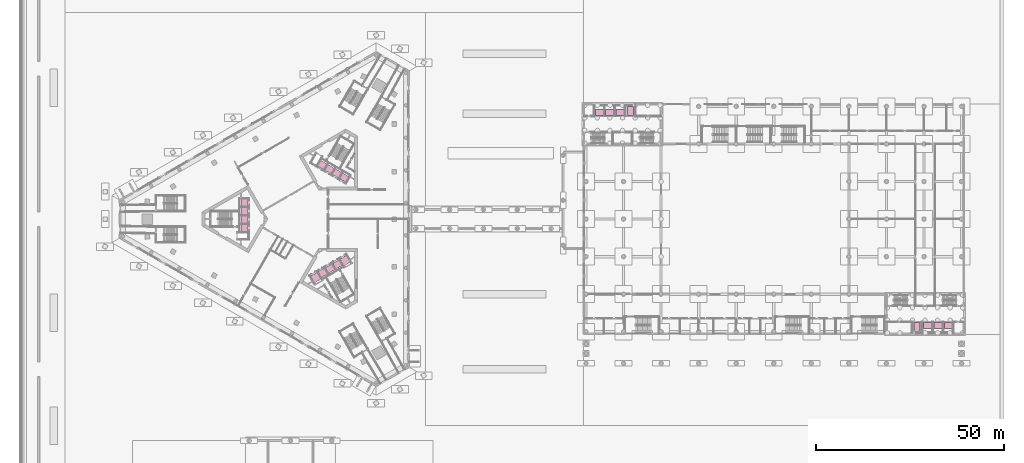
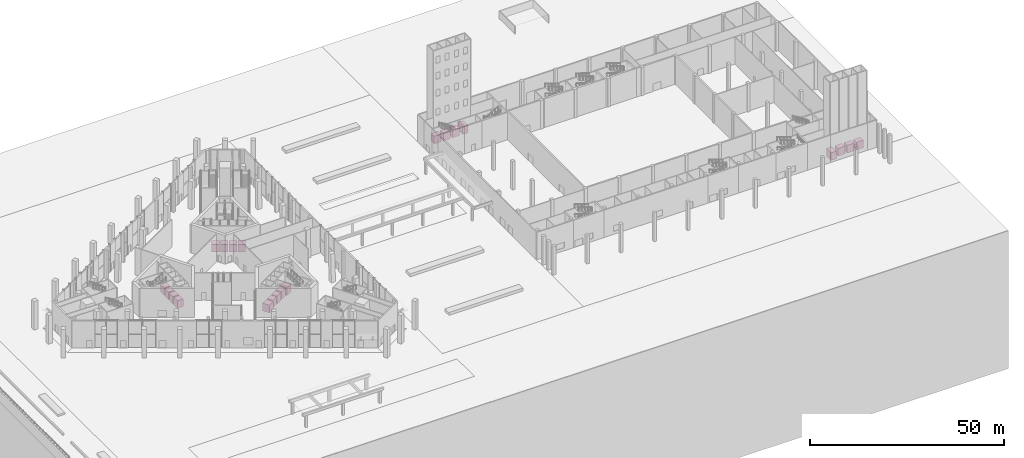
# One storey, part 63 of 63: 21 transport elements.
"""IFC4 building model written with IfcOpenShell, lengths in metres."""

from ifc_helpers import new_model, si_unit, direction, frame, origin, origin_2d, place, context, subcontext, project, spatial, rectangle, extrude, material, type_object, element, save


model = new_model("IFC4")

# Units and contexts
model_context = context("Model", 3, precision=1e-05, world=origin(), true_north=direction((0.0, 1.0)))
body_context = subcontext(model_context, "Body", "Model", "MODEL_VIEW")
ifc_project = project(units=[si_unit("LENGTHUNIT", "METRE"), si_unit("AREAUNIT", "SQUARE_METRE"), si_unit("VOLUMEUNIT", "CUBIC_METRE"), si_unit("PLANEANGLEUNIT", "RADIAN"), si_unit("MASSUNIT", "GRAM", prefix="KILO")], contexts=[model_context])

# Site, building, storey
site_placement = place(None, origin())
site = spatial("IfcSite", under=ifc_project, at=site_placement, CompositionType="ELEMENT")
building_placement = place(site_placement, origin())
building = spatial("IfcBuilding", under=site, at=building_placement, Name="Jabali Bay Hotel Tower and Convention Centre", CompositionType="ELEMENT")
storey_placement = place(building_placement, origin())
storey = spatial("IfcBuildingStorey", under=building, at=storey_placement, Name="L00", CompositionType="ELEMENT", Elevation=0.0)

# Transport elements
ifc_material_1 = material(Name="Stainless steel 304", Category="steel")
transport_element_type_1 = type_object("IfcTransportElementType", Name="CC Passenger Lift 1350 kg", PredefinedType="ELEVATOR", material=ifc_material_1)
for number, where, z_axis, x_axis, name in (
    (1, (154.25, 108.39990234375, 0.0), (0.0, 0.0, 1.0), (1.0, 0.0, 0.0), "CC west passenger lift 1"),
    (2, (157.0, 108.39990234375, 0.0), (0.0, 0.0, 1.0), (1.0, 0.0, 0.0), "CC west passenger lift 2"),
    (3, (159.75, 108.39990234375, 0.0), (0.0, 0.0, 1.0), (1.0, 0.0, 0.0), "CC west passenger lift 3"),
    (4, (247.14990234375, 51.60009765625, 0.0), (0.0, 0.0, 1.0), (1.0, 0.0, 0.0), "CC east passenger lift 1"),
    (5, (244.39990234375, 51.60009765625, 0.0), (0.0, 0.0, 1.0), (1.0, 0.0, 0.0), "CC east passenger lift 2"),
    (6, (241.64990234375, 51.60009765625, 0.0), (0.0, 0.0, 1.0), (1.0, 0.0, 0.0), "CC east passenger lift 3"),
):
    element("IfcTransportElement", number, at=place(storey_placement, frame(where, z_axis=z_axis, x_axis=x_axis)), inside=storey, type_object=transport_element_type_1, Name=name, PredefinedType="ELEVATOR", context=body_context, shape_type="SweptSolid", body=[
        extrude(rectangle(XDim=2.10009765625, YDim=1.60009765625, at=origin_2d()), origin(), (0.0, 0.0, 1.0), 2.39990234375),
    ])
transport_element_type_2 = type_object("IfcTransportElementType", Name="CC Service Lift 1600 kg", PredefinedType="ELEVATOR", material=ifc_material_1)
for number, where, z_axis, x_axis, name in (
    (7, (162.5, 108.800048828125, 0.0), (0.0, 0.0, 1.0), (1.0, 0.0, 0.0), "CC west service lift"),
    (8, (238.89990234375, 51.199951171875, 0.0), (0.0, 0.0, 1.0), (1.0, 0.0, 0.0), "CC east service lift"),
):
    element("IfcTransportElement", number, at=place(storey_placement, frame(where, z_axis=z_axis, x_axis=x_axis)), inside=storey, type_object=transport_element_type_2, Name=name, PredefinedType="ELEVATOR", context=body_context, shape_type="SweptSolid", body=[
        extrude(rectangle(XDim=1.60009765625, YDim=2.39990234375, at=origin_2d()), origin(), (0.0, 0.0, 1.0), 2.39990234375),
    ])
ifc_material_2 = material(Name="Stainless steel lift car", Category="steel")
transport_element_type_3 = type_object("IfcTransportElementType", Name="Observation lift car 2000 x 2100", PredefinedType="ELEVATOR", material=ifc_material_2)
for number, where, z_axis, x_axis, name in (
    (9, (78.78125, 64.400634765625, 0.050048828125), (0.0, 0.0, 1.0), (0.5, -0.866025403784, 0.0), "Lift 11 car"),
    (10, (86.61865234375, 68.92578125, 0.050048828125), (0.0, 0.0, 1.0), (0.5, -0.866025403784, 0.0), "Lift 15 car"),
):
    element("IfcTransportElement", number, at=place(storey_placement, frame(where, z_axis=z_axis, x_axis=x_axis)), inside=storey, type_object=transport_element_type_3, Name=name, PredefinedType="ELEVATOR", context=body_context, shape_type="SweptSolid", body=[
        extrude(rectangle(XDim=2.10009765625, YDim=2.0, at=origin_2d()), origin(), (0.0, 0.0, 1.0), 2.39990234375),
    ])
transport_element_type_4 = type_object("IfcTransportElementType", Name="Passenger lift car 1950 x 1750", PredefinedType="ELEVATOR", material=ifc_material_2)
for number, where, z_axis, x_axis, name in (
    (11, (59.77490234375, 84.324951171875, 0.050048828125), (0.0, 0.0, 1.0), (-1.0, 0.0, 0.0), "Lift 1 car"),
    (12, (59.77490234375, 82.074951171875, 0.050048828125), (0.0, 0.0, 1.0), (-1.0, 0.0, 0.0), "Lift 2 car"),
    (13, (59.77490234375, 79.824951171875, 0.050048828125), (0.0, 0.0, 1.0), (-1.0, 0.0, 0.0), "Lift 3 car"),
    (14, (59.77490234375, 77.574951171875, 0.050048828125), (0.0, 0.0, 1.0), (-1.0, 0.0, 0.0), "Lift 4 car"),
    (15, (86.358154296875, 91.022705078125, 0.050048828125), (0.0, 0.0, 1.0), (0.5, 0.866025403784, 0.0), "Lift 6 car"),
    (16, (84.409423828125, 92.147705078125, 0.050048828125), (0.0, 0.0, 1.0), (0.5, 0.866025403784, 0.0), "Lift 7 car"),
    (17, (82.4609375, 93.272705078125, 0.050048828125), (0.0, 0.0, 1.0), (0.5, 0.866025403784, 0.0), "Lift 8 car"),
    (18, (80.512451171875, 94.397705078125, 0.050048828125), (0.0, 0.0, 1.0), (0.5, 0.866025403784, 0.0), "Lift 9 car"),
    (19, (80.6640625, 65.689697265625, 0.050048828125), (0.0, 0.0, 1.0), (0.5, -0.866025403784, 0.0), "Lift 12 car"),
    (20, (82.612548828125, 66.814697265625, 0.050048828125), (0.0, 0.0, 1.0), (0.5, -0.866025403784, 0.0), "Lift 13 car"),
    (21, (84.56103515625, 67.939697265625, 0.050048828125), (0.0, 0.0, 1.0), (0.5, -0.866025403784, 0.0), "Lift 14 car"),
):
    element("IfcTransportElement", number, at=place(storey_placement, frame(where, z_axis=z_axis, x_axis=x_axis)), inside=storey, type_object=transport_element_type_4, Name=name, PredefinedType="ELEVATOR", context=body_context, shape_type="SweptSolid", body=[
        extrude(rectangle(XDim=1.75, YDim=1.949951171875, at=origin_2d()), origin(), (0.0, 0.0, 1.0), 2.39990234375),
    ])

save(model, "model.ifc")
